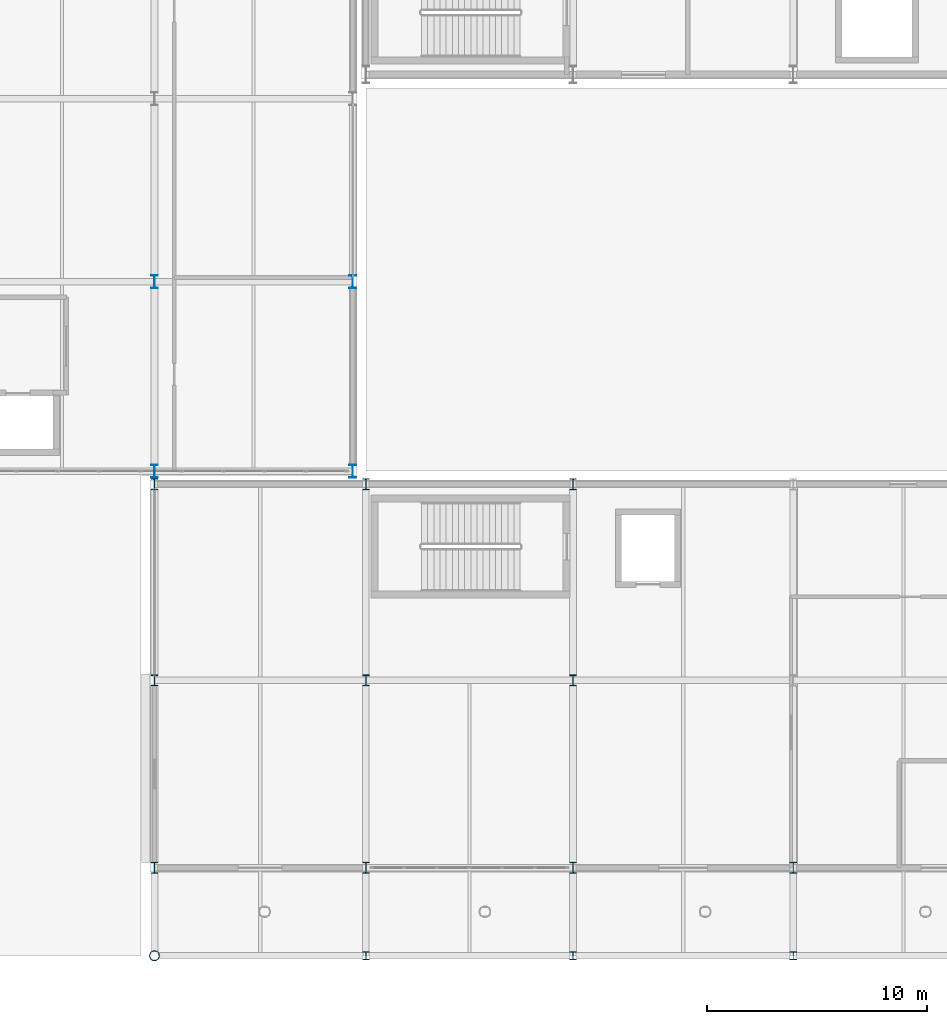
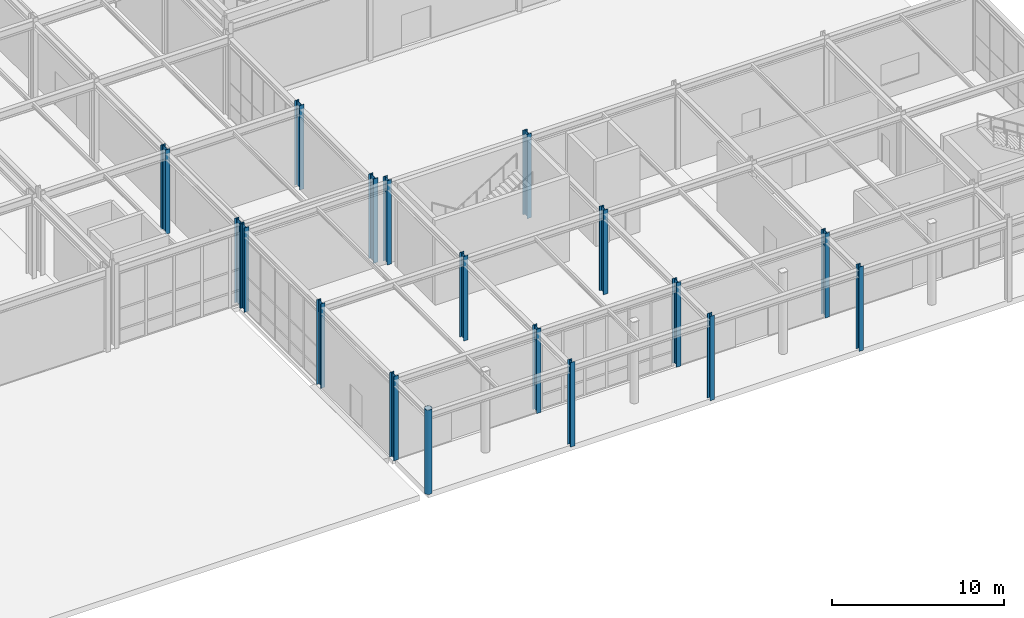
# One storey, part 14 of 146: 18 columns.
"""IFC4 building model written with IfcOpenShell, lengths in metres."""

from ifc_helpers import new_model, si_unit, direction, frame, origin, origin_2d, place, context, subcontext, project, spatial, hollow_circle, i_section, extrude, material, material_profile, profile_set, type_object, element, save


model = new_model("IFC4")

# Units and contexts
model_context = context("Model", 3, precision=1e-05, world=origin(), true_north=direction((0.0, 1.0)))
body_context = subcontext(model_context, "Body", "Model", "MODEL_VIEW")
ifc_project = project(units=[si_unit("LENGTHUNIT", "METRE"), si_unit("AREAUNIT", "SQUARE_METRE"), si_unit("VOLUMEUNIT", "CUBIC_METRE"), si_unit("PLANEANGLEUNIT", "RADIAN"), si_unit("MASSUNIT", "GRAM", prefix="KILO")], contexts=[model_context])

# Site, building, storey
site_placement = place(None, origin())
site = spatial("IfcSite", under=ifc_project, at=site_placement, CompositionType="ELEMENT")
building_placement = place(site_placement, origin())
building = spatial("IfcBuilding", under=site, at=building_placement, Name="Kaldris Quays Convention Centre", CompositionType="ELEMENT")
storey_placement = place(building_placement, origin())
storey = spatial("IfcBuildingStorey", under=building, at=storey_placement, Name="L00", CompositionType="ELEMENT", Elevation=0.0)

# Columns
ifc_material_1 = material(Name="Steel S355J2", Category="steel")
ifc_material_profile_1 = material_profile(ifc_material_1, i_section(OverallWidth=0.300048828125, OverallDepth=0.60009765625, WebThickness=0.015380859375, FlangeThickness=0.030029296875, FilletRadius=0.027099609375, at=origin_2d()), Name="HEB 600")
ifc_profile_set_1 = profile_set([ifc_material_profile_1], Name="Steel S355J2")
column_type_1 = type_object("IfcColumnType", Name="STRUCTURAL COLUMN CL06", PredefinedType="COLUMN", material=ifc_profile_set_1)
for number, where, z_axis, x_axis, name in (
    (1, (155.0, 38.0, 0.0), (0.0, 0.0, 1.0), (1.0, 0.0, 0.0), "L00 V4 Column CL06 (155.00, 38.00)"),
    (2, (155.0, 46.60009765625, 0.0), (0.0, 0.0, 1.0), (1.0, 0.0, 0.0), "L00 V4 Column CL06 (155.00, 46.60)"),
    (3, (164.0, 38.0, 0.0), (0.0, 0.0, 1.0), (1.0, 0.0, 0.0), "L00 V4 Column CL06 (164.00, 38.00)"),
    (4, (164.0, 46.60009765625, 0.0), (0.0, 0.0, 1.0), (1.0, 0.0, 0.0), "L00 V4 Column CL06 (164.00, 46.60)"),
):
    element("IfcColumn", number, at=place(storey_placement, frame(where, z_axis=z_axis, x_axis=x_axis)), inside=storey, type_object=column_type_1, Name=name, PredefinedType="COLUMN", context=body_context, shape_type="SweptSolid", body=[
        extrude(i_section(OverallWidth=0.300048828125, OverallDepth=0.60009765625, WebThickness=0.015380859375, FlangeThickness=0.030029296875, FilletRadius=0.027099609375, at=origin_2d()), origin(), (0.0, 0.0, 1.0), 6.0),
    ])
ifc_material_profile_2 = material_profile(ifc_material_1, i_section(OverallWidth=0.300048828125, OverallDepth=0.5, WebThickness=0.014404296875, FlangeThickness=0.028076171875, FilletRadius=0.027099609375, at=origin_2d()), Name="HEB 500")
ifc_profile_set_2 = profile_set([ifc_material_profile_2], Name="Steel S355J2")
column_type_2 = type_object("IfcColumnType", Name="STRUCTURAL COLUMN CL07", PredefinedType="COLUMN", material=ifc_profile_set_2)
for number, where, z_axis, x_axis, name in (
    (5, (155.0, 20.0, 0.0), (0.0, 0.0, 1.0), (1.0, 0.0, 0.0), "L00 V5 Column CL07 (155.00, 20.00)"),
    (6, (155.0, 28.5, 0.0), (0.0, 0.0, 1.0), (1.0, 0.0, 0.0), "L00 V5 Column CL07 (155.00, 28.50)"),
    (7, (155.0, 37.39990234375, 0.0), (0.0, 0.0, 1.0), (1.0, 0.0, 0.0), "L00 V5 Column CL07 (155.00, 37.40)"),
    (8, (164.60009765625, 20.0, 0.0), (0.0, 0.0, 1.0), (1.0, 0.0, 0.0), "L00 V5 Column CL07 (164.60, 20.00)"),
    (9, (164.60009765625, 28.5, 0.0), (0.0, 0.0, 1.0), (1.0, 0.0, 0.0), "L00 V5 Column CL07 (164.60, 28.50)"),
    (10, (164.60009765625, 37.39990234375, 0.0), (0.0, 0.0, 1.0), (1.0, 0.0, 0.0), "L00 V5 Column CL07 (164.60, 37.40)"),
    (11, (174.0, 20.0, 0.0), (0.0, 0.0, 1.0), (1.0, 0.0, 0.0), "L00 V5 Column CL07 (174.00, 20.00)"),
    (12, (174.0, 28.5, 0.0), (0.0, 0.0, 1.0), (1.0, 0.0, 0.0), "L00 V5 Column CL07 (174.00, 28.50)"),
    (13, (174.0, 37.39990234375, 0.0), (0.0, 0.0, 1.0), (1.0, 0.0, 0.0), "L00 V5 Column CL07 (174.00, 37.40)"),
    (14, (184.0, 20.0, 0.0), (0.0, 0.0, 1.0), (1.0, 0.0, 0.0), "L00 V5 Column CL07 (184.00, 20.00)"),
):
    element("IfcColumn", number, at=place(storey_placement, frame(where, z_axis=z_axis, x_axis=x_axis)), inside=storey, type_object=column_type_2, Name=name, PredefinedType="COLUMN", context=body_context, shape_type="SweptSolid", body=[
        extrude(i_section(OverallWidth=0.300048828125, OverallDepth=0.5, WebThickness=0.014404296875, FlangeThickness=0.028076171875, FilletRadius=0.027099609375, at=origin_2d()), origin(), (0.0, 0.0, 1.0), 6.0),
    ])
ifc_material_2 = material(Name="Steel S355J2H", Category="steel")
ifc_material_profile_3 = material_profile(ifc_material_2, hollow_circle(Radius=0.228515625, WallThickness=0.01611328125, at=origin_2d()), Name="CHS 457x16")
ifc_profile_set_3 = profile_set([ifc_material_profile_3], Name="Steel S355J2H")
column_type_3 = type_object("IfcColumnType", Name="STRUCTURAL COLUMN CL21", PredefinedType="COLUMN", material=ifc_profile_set_3)
column_placement = place(storey_placement, frame((155.0, 16.0, 0.0), z_axis=(0.0, 0.0, 1.0), x_axis=(1.0, 0.0, 0.0)))
element("IfcColumn", 15, at=column_placement, inside=storey, type_object=column_type_3, Name="L00 V5 Column CL21 (155.00, 16.00)", PredefinedType="COLUMN", context=body_context, shape_type="SweptSolid", body=[
    extrude(hollow_circle(Radius=0.228515625, WallThickness=0.01611328125, at=origin_2d()), origin(), (0.0, 0.0, 1.0), 6.0),
])
ifc_material_profile_4 = material_profile(ifc_material_1, i_section(OverallWidth=0.300048828125, OverallDepth=0.35009765625, WebThickness=0.010009765625, FlangeThickness=0.017578125, FilletRadius=0.027099609375, at=origin_2d()), Name="HEA 360")
ifc_profile_set_4 = profile_set([ifc_material_profile_4], Name="Steel S355J2")
column_type_4 = type_object("IfcColumnType", Name="STRUCTURAL COLUMN PL01C", PredefinedType="PILASTER", material=ifc_profile_set_4)
for number, where, z_axis, x_axis, name in (
    (16, (164.60009765625, 16.0, 0.0), (0.0, 0.0, 1.0), (1.0, 0.0, 0.0), "L00 V5 Column PL01C (164.60, 16.00)"),
    (17, (174.0, 16.0, 0.0), (0.0, 0.0, 1.0), (1.0, 0.0, 0.0), "L00 V5 Column PL01C (174.00, 16.00)"),
    (18, (184.0, 16.0, 0.0), (0.0, 0.0, 1.0), (1.0, 0.0, 0.0), "L00 V5 Column PL01C (184.00, 16.00)"),
):
    element("IfcColumn", number, at=place(storey_placement, frame(where, z_axis=z_axis, x_axis=x_axis)), inside=storey, type_object=column_type_4, Name=name, PredefinedType="PILASTER", context=body_context, shape_type="SweptSolid", body=[
        extrude(i_section(OverallWidth=0.300048828125, OverallDepth=0.35009765625, WebThickness=0.010009765625, FlangeThickness=0.017578125, FilletRadius=0.027099609375, at=origin_2d()), origin(), (0.0, 0.0, 1.0), 6.0),
    ])

save(model, "model.ifc")
